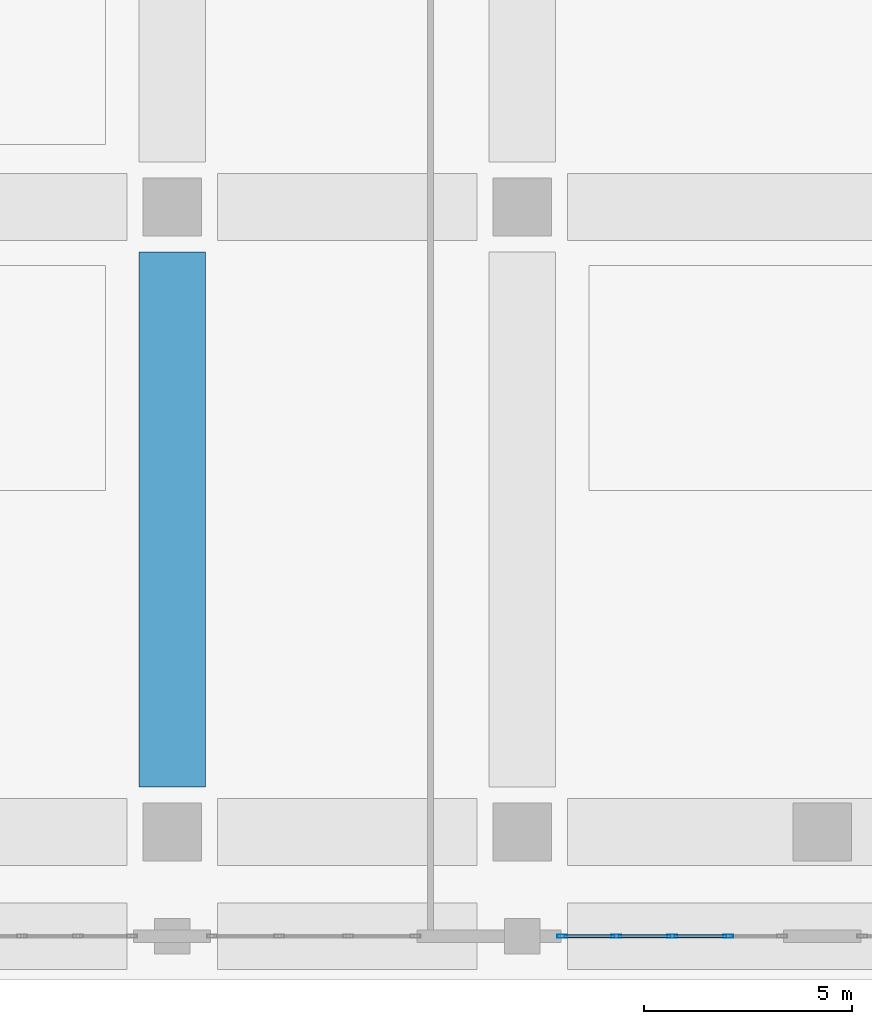
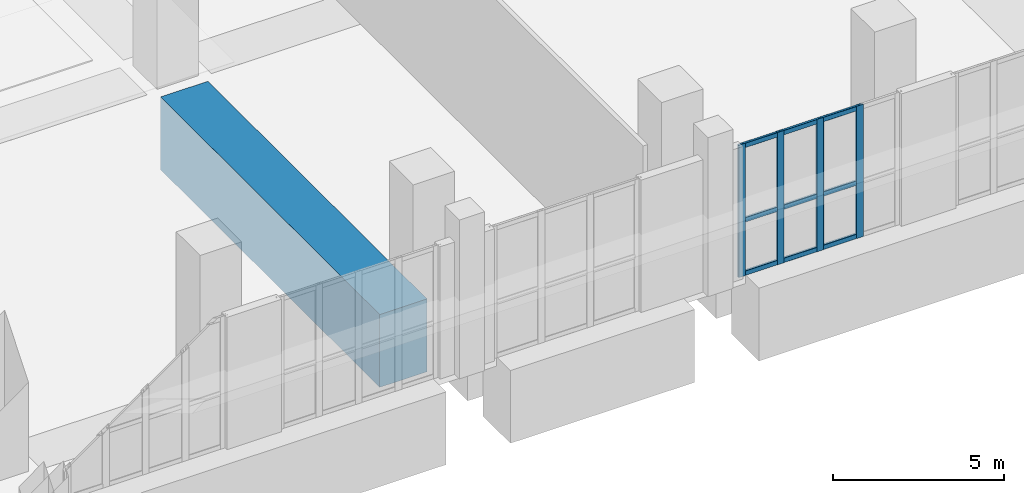
# One storey, part 8 of 25: 13 members, 1 beam, 1 element without a shape of its own.
"""IFC4 building model written with IfcOpenShell, lengths in metres."""

from ifc_helpers import new_model, si_unit, direction, frame, origin, origin_2d, place, context, subcontext, project, spatial, rectangle, hollow_rectangle, extrude, material, layer, layer_set, material_profile, profile_set, type_object, element, aggregate, save


model = new_model("IFC4")

# Units and contexts
model_context = context("Model", 3, precision=1e-05, world=origin(), true_north=direction((0.0, 1.0)))
body_context = subcontext(model_context, "Body", "Model", "MODEL_VIEW")
ifc_project = project(units=[si_unit("LENGTHUNIT", "METRE"), si_unit("AREAUNIT", "SQUARE_METRE"), si_unit("VOLUMEUNIT", "CUBIC_METRE"), si_unit("PLANEANGLEUNIT", "RADIAN"), si_unit("MASSUNIT", "GRAM", prefix="KILO")], contexts=[model_context])

# Site, building, storey
site_placement = place(None, origin())
site = spatial("IfcSite", under=ifc_project, at=site_placement, CompositionType="ELEMENT")
building_placement = place(site_placement, origin())
building = spatial("IfcBuilding", under=site, at=building_placement, Name="Kaelvorn Grand Hotel", CompositionType="ELEMENT")
storey_placement = place(building_placement, frame((0.0, 0.0, 8.0)))
storey = spatial("IfcBuildingStorey", under=building, at=storey_placement, Name="L01", CompositionType="ELEMENT", Elevation=8.0)

# Beam
ifc_material_1 = material(Name="Concrete C80/95", Category="concrete")
ifc_material_profile_1 = material_profile(ifc_material_1, rectangle(XDim=1.60009765625, YDim=2.60009765625, at=origin_2d()), Name="RC TG 1600x2600")
ifc_profile_set_1 = profile_set([ifc_material_profile_1], Name="Concrete C80/95")
beam_type = type_object("IfcBeamType", Name="BM-TG-1600x2600-C80", PredefinedType="USERDEFINED", material=ifc_profile_set_1)
beam_placement = place(storey_placement, frame((37.800048828125, 1.0849609375, -1.300048828125), z_axis=(0.0, 1.0, 0.0), x_axis=(-1.0, 0.0, 0.0)))
element("IfcBeam", 1, at=beam_placement, inside=storey, type_object=beam_type, Name="L01 Pilotis Transfer Girder TGY-X37 01", ObjectType="TRANSFER GIRDER", PredefinedType="USERDEFINED", context=body_context, shape_type="SweptSolid", body=[
    extrude(rectangle(XDim=1.60009765625, YDim=2.60009765625, at=origin_2d()), origin(), (0.0, 0.0, 1.0), 12.830078125),
])

# Curtain wall, members
ifc_material_2 = material(Name="Anodised Aluminium", Category="aluminium")
ifc_layer = layer(ifc_material_2, 0.239990234375)
ifc_layer_set = layer_set([ifc_layer], Name="Anodised Aluminium")
curtain_wall_type = type_object("IfcCurtainWallType", Name="CW-SYS1", PredefinedType="NOTDEFINED", material=ifc_layer_set)
curtain_wall_placement = place(storey_placement, origin())
curtain_wall = element("IfcCurtainWall", 2, at=curtain_wall_placement, inside=storey, type_object=curtain_wall_type, Name="L01 Unitised Curtain Wall CW1 (CW-L01-S-06)", PredefinedType="NOTDEFINED")
ifc_material_profile_2 = material_profile(ifc_material_2, hollow_rectangle(XDim=0.080078125, YDim=0.239990234375, WallThickness=0.0048828125, InnerFilletRadius=0.0048828125, OuterFilletRadius=0.010009765625, at=origin_2d()), Name="ALU MULL 80x240")
ifc_profile_set_2 = profile_set([ifc_material_profile_2], Name="Anodised Aluminium")
member_type_1 = type_object("IfcMemberType", Name="CW-SYS1-MULL", PredefinedType="MULLION", material=ifc_profile_set_2)
member_1_placement = place(storey_placement, frame((47.159912109375, -2.5, 0.0), z_axis=(0.0, 0.0, 1.0), x_axis=(0.0, 1.0, 0.0)))
member_1 = element("IfcMember", 3, at=member_1_placement, type_object=member_type_1, Name="CW1 mullion 1", PredefinedType="MULLION", context=body_context, shape_type="SweptSolid", body=[
    extrude(hollow_rectangle(XDim=0.080078125, YDim=0.239990234375, WallThickness=0.0048828125, InnerFilletRadius=0.0048828125, OuterFilletRadius=0.010009765625, at=origin_2d()), origin(), (0.0, 0.0, 1.0), 4.72998046875),
])
member_2_placement = place(storey_placement, frame((48.4599609375, -2.5, 0.0), z_axis=(0.0, 0.0, 1.0), x_axis=(0.0, 1.0, 0.0)))
member_2 = element("IfcMember", 4, at=member_2_placement, type_object=member_type_1, Name="CW1 mullion 2", PredefinedType="MULLION", context=body_context, shape_type="SweptSolid", body=[
    extrude(hollow_rectangle(XDim=0.080078125, YDim=0.239990234375, WallThickness=0.0048828125, InnerFilletRadius=0.0048828125, OuterFilletRadius=0.010009765625, at=origin_2d()), origin(), (0.0, 0.0, 1.0), 4.72998046875),
])
member_3_placement = place(storey_placement, frame((49.800048828125, -2.5, 0.0), z_axis=(0.0, 0.0, 1.0), x_axis=(0.0, 1.0, 0.0)))
member_3 = element("IfcMember", 5, at=member_3_placement, type_object=member_type_1, Name="CW1 mullion 3", PredefinedType="MULLION", context=body_context, shape_type="SweptSolid", body=[
    extrude(hollow_rectangle(XDim=0.080078125, YDim=0.239990234375, WallThickness=0.0048828125, InnerFilletRadius=0.0048828125, OuterFilletRadius=0.010009765625, at=origin_2d()), origin(), (0.0, 0.0, 1.0), 4.72998046875),
])
member_4_placement = place(storey_placement, frame((51.139892578125, -2.5, 0.0), z_axis=(0.0, 0.0, 1.0), x_axis=(0.0, 1.0, 0.0)))
member_4 = element("IfcMember", 6, at=member_4_placement, type_object=member_type_1, Name="CW1 mullion 4", PredefinedType="MULLION", context=body_context, shape_type="SweptSolid", body=[
    extrude(hollow_rectangle(XDim=0.080078125, YDim=0.239990234375, WallThickness=0.0048828125, InnerFilletRadius=0.0048828125, OuterFilletRadius=0.010009765625, at=origin_2d()), origin(), (0.0, 0.0, 1.0), 4.72998046875),
])
ifc_material_profile_3 = material_profile(ifc_material_2, hollow_rectangle(XDim=0.080078125, YDim=0.1650390625, WallThickness=0.00439453125, InnerFilletRadius=0.00439453125, OuterFilletRadius=0.009033203125, at=origin_2d()), Name="ALU TRAN 80x165")
ifc_profile_set_3 = profile_set([ifc_material_profile_3], Name="Anodised Aluminium")
member_type_2 = type_object("IfcMemberType", Name="CW-SYS1-TRAN", PredefinedType="NOTDEFINED", material=ifc_profile_set_3)
member_5_placement = place(storey_placement, frame((47.199951171875, -2.5, 0.08251953125), z_axis=(1.0, 0.0, 0.0), x_axis=(0.0, 1.0, 0.0)))
member_5 = element("IfcMember", 7, at=member_5_placement, type_object=member_type_2, Name="CW1 transom 1.1", ObjectType="TRANSOM", PredefinedType="USERDEFINED", context=body_context, shape_type="SweptSolid", body=[
    extrude(hollow_rectangle(XDim=0.080078125, YDim=0.1650390625, WallThickness=0.00439453125, InnerFilletRadius=0.00439453125, OuterFilletRadius=0.009033203125, at=origin_2d()), origin(), (0.0, 0.0, 1.0), 1.219970703125),
])
member_6_placement = place(storey_placement, frame((47.199951171875, -2.5, 1.986572265625), z_axis=(1.0, 0.0, 0.0), x_axis=(0.0, 1.0, 0.0)))
member_6 = element("IfcMember", 8, at=member_6_placement, type_object=member_type_2, Name="CW1 transom 1.2", ObjectType="TRANSOM", PredefinedType="USERDEFINED", context=body_context, shape_type="SweptSolid", body=[
    extrude(hollow_rectangle(XDim=0.080078125, YDim=0.1650390625, WallThickness=0.00439453125, InnerFilletRadius=0.00439453125, OuterFilletRadius=0.009033203125, at=origin_2d()), origin(), (0.0, 0.0, 1.0), 1.219970703125),
])
member_7_placement = place(storey_placement, frame((47.199951171875, -2.5, 4.6474609375), z_axis=(1.0, 0.0, 0.0), x_axis=(0.0, 1.0, 0.0)))
member_7 = element("IfcMember", 9, at=member_7_placement, type_object=member_type_2, Name="CW1 transom 1.3", ObjectType="TRANSOM", PredefinedType="USERDEFINED", context=body_context, shape_type="SweptSolid", body=[
    extrude(hollow_rectangle(XDim=0.080078125, YDim=0.1650390625, WallThickness=0.00439453125, InnerFilletRadius=0.00439453125, OuterFilletRadius=0.009033203125, at=origin_2d()), origin(), (0.0, 0.0, 1.0), 1.219970703125),
])
member_8_placement = place(storey_placement, frame((48.5, -2.5, 0.08251953125), z_axis=(1.0, 0.0, 0.0), x_axis=(0.0, 1.0, 0.0)))
member_8 = element("IfcMember", 10, at=member_8_placement, type_object=member_type_2, Name="CW1 transom 2.1", ObjectType="TRANSOM", PredefinedType="USERDEFINED", context=body_context, shape_type="SweptSolid", body=[
    extrude(hollow_rectangle(XDim=0.080078125, YDim=0.1650390625, WallThickness=0.00439453125, InnerFilletRadius=0.00439453125, OuterFilletRadius=0.009033203125, at=origin_2d()), origin(), (0.0, 0.0, 1.0), 1.260009765625),
])
member_9_placement = place(storey_placement, frame((48.5, -2.5, 1.986572265625), z_axis=(1.0, 0.0, 0.0), x_axis=(0.0, 1.0, 0.0)))
member_9 = element("IfcMember", 11, at=member_9_placement, type_object=member_type_2, Name="CW1 transom 2.2", ObjectType="TRANSOM", PredefinedType="USERDEFINED", context=body_context, shape_type="SweptSolid", body=[
    extrude(hollow_rectangle(XDim=0.080078125, YDim=0.1650390625, WallThickness=0.00439453125, InnerFilletRadius=0.00439453125, OuterFilletRadius=0.009033203125, at=origin_2d()), origin(), (0.0, 0.0, 1.0), 1.260009765625),
])
member_10_placement = place(storey_placement, frame((48.5, -2.5, 4.6474609375), z_axis=(1.0, 0.0, 0.0), x_axis=(0.0, 1.0, 0.0)))
member_10 = element("IfcMember", 12, at=member_10_placement, type_object=member_type_2, Name="CW1 transom 2.3", ObjectType="TRANSOM", PredefinedType="USERDEFINED", context=body_context, shape_type="SweptSolid", body=[
    extrude(hollow_rectangle(XDim=0.080078125, YDim=0.1650390625, WallThickness=0.00439453125, InnerFilletRadius=0.00439453125, OuterFilletRadius=0.009033203125, at=origin_2d()), origin(), (0.0, 0.0, 1.0), 1.260009765625),
])
member_11_placement = place(storey_placement, frame((49.840087890625, -2.5, 0.08251953125), z_axis=(1.0, 0.0, 0.0), x_axis=(0.0, 1.0, 0.0)))
member_11 = element("IfcMember", 13, at=member_11_placement, type_object=member_type_2, Name="CW1 transom 3.1", ObjectType="TRANSOM", PredefinedType="USERDEFINED", context=body_context, shape_type="SweptSolid", body=[
    extrude(hollow_rectangle(XDim=0.080078125, YDim=0.1650390625, WallThickness=0.00439453125, InnerFilletRadius=0.00439453125, OuterFilletRadius=0.009033203125, at=origin_2d()), origin(), (0.0, 0.0, 1.0), 1.260009765625),
])
member_12_placement = place(storey_placement, frame((49.840087890625, -2.5, 1.986572265625), z_axis=(1.0, 0.0, 0.0), x_axis=(0.0, 1.0, 0.0)))
member_12 = element("IfcMember", 14, at=member_12_placement, type_object=member_type_2, Name="CW1 transom 3.2", ObjectType="TRANSOM", PredefinedType="USERDEFINED", context=body_context, shape_type="SweptSolid", body=[
    extrude(hollow_rectangle(XDim=0.080078125, YDim=0.1650390625, WallThickness=0.00439453125, InnerFilletRadius=0.00439453125, OuterFilletRadius=0.009033203125, at=origin_2d()), origin(), (0.0, 0.0, 1.0), 1.260009765625),
])
member_13_placement = place(storey_placement, frame((49.840087890625, -2.5, 4.6474609375), z_axis=(1.0, 0.0, 0.0), x_axis=(0.0, 1.0, 0.0)))
member_13 = element("IfcMember", 15, at=member_13_placement, type_object=member_type_2, Name="CW1 transom 3.3", ObjectType="TRANSOM", PredefinedType="USERDEFINED", context=body_context, shape_type="SweptSolid", body=[
    extrude(hollow_rectangle(XDim=0.080078125, YDim=0.1650390625, WallThickness=0.00439453125, InnerFilletRadius=0.00439453125, OuterFilletRadius=0.009033203125, at=origin_2d()), origin(), (0.0, 0.0, 1.0), 1.260009765625),
])
aggregate(curtain_wall, [member_1, member_2, member_3, member_4, member_5, member_6, member_7, member_8, member_9, member_10, member_11, member_12, member_13])

save(model, "model.ifc")
